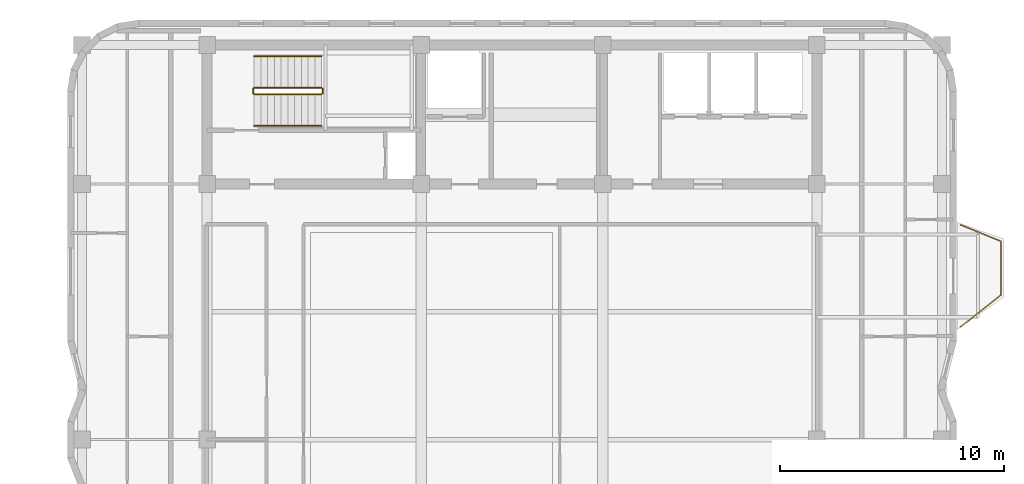
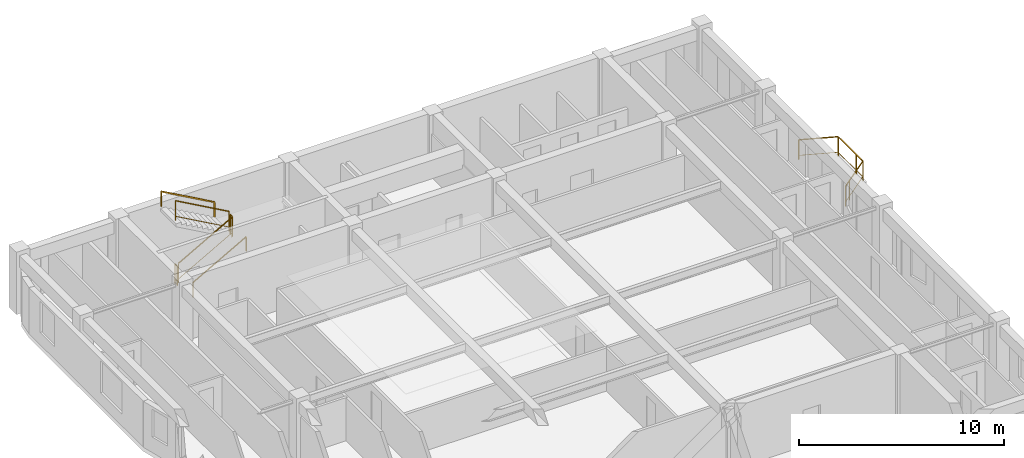
# One storey, part 8 of 8: 7 railings.
"""IFC4 building model written with IfcOpenShell, lengths in metres."""

import ifcopenshell
import ifcopenshell.guid

model = None  # the IFC model being written
_history = None  # IfcOwnerHistory: only IFC2X3 demands one
_inside = {}  # id of a spatial element -> (the spatial element, [elements in it])
_under = {}  # id of a project, library or spatial element -> (it, [spatial elements below it])
_declared = {}  # id of a project -> (the project, [libraries it declares])
_typed = {}  # id of a type object -> (the type object, [elements of that type])
_made_of = {}  # id of a material, layer set ... -> (it, [elements and type objects made of it])


def new_model(schema):
    """Start an empty IFC model of exactly this schema.

    Asked for "IFC4X3", IfcOpenShell would pick the latest addendum, in which some entities
    have other attributes; the version numbers below select the first issue.
    IFC2X3 requires an IfcOwnerHistory on every rooted entity: one is made here for all.
    """
    global model, _history
    if schema == "IFC4X3":
        model = ifcopenshell.file(schema_version=(4, 3, 0, 0))
    else:
        model = ifcopenshell.file(schema=schema)
    _inside.clear()
    _under.clear()
    _declared.clear()
    _typed.clear()
    _made_of.clear()
    _history = None
    if model.schema == "IFC2X3":
        org = make("IfcOrganization", Name="unknown")
        user = make(
            "IfcPersonAndOrganization",
            ThePerson=make("IfcPerson", FamilyName="unknown"),
            TheOrganization=org,
        )
        app = make(
            "IfcApplication",
            ApplicationDeveloper=org,
            Version="unknown",
            ApplicationFullName="unknown",
            ApplicationIdentifier="unknown",
        )
        _history = make(
            "IfcOwnerHistory",
            OwningUser=user,
            OwningApplication=app,
            ChangeAction="ADDED",
            CreationDate=0,
        )
    return model


def make(cls, **values):
    """One entity of the class cls with the attributes given. An attribute that is None is left unset."""
    return model.create_entity(
        cls, **{name: value for name, value in values.items() if value is not None}
    )


def rooted(cls, **values):
    """An entity with a GlobalId (a new one), such as an element, a storey or a relation."""
    return make(cls, GlobalId=ifcopenshell.guid.new(), OwnerHistory=_history, **values)


def si_unit(unit_type, name, prefix=None):
    """IfcSIUnit, for example si_unit("LENGTHUNIT", "METRE", prefix="MILLI")."""
    return make("IfcSIUnit", UnitType=unit_type, Prefix=prefix, Name=name)


def assignment(units):
    """IfcUnitAssignment: the units of a project."""
    return None if units is None else make("IfcUnitAssignment", Units=units)


def point(xyz):
    """IfcCartesianPoint."""
    return None if xyz is None else make("IfcCartesianPoint", Coordinates=xyz)


def direction(xyz):
    """IfcDirection."""
    return None if xyz is None else make("IfcDirection", DirectionRatios=xyz)


def frame(location, z_axis=None, x_axis=None):
    """IfcAxis2Placement3D, a coordinate frame: its origin and axes. An axis left out is left unset."""
    return make(
        "IfcAxis2Placement3D",
        Location=point(location),
        Axis=direction(z_axis),
        RefDirection=direction(x_axis),
    )


def frame_2d(location, x_axis=None):
    """IfcAxis2Placement2D, a coordinate frame in the plane: its origin and x axis."""
    return make(
        "IfcAxis2Placement2D", Location=point(location), RefDirection=direction(x_axis)
    )


def origin():
    """The frame at (0, 0, 0) with its axes left unset."""
    return frame((0.0, 0.0, 0.0))


def origin_2d():
    """The frame at (0, 0) in the plane with its x axis left unset."""
    return frame_2d((0.0, 0.0))


def place(relative_to, where):
    """IfcLocalPlacement: puts the frame where relative to a parent placement (None: the world)."""
    return make(
        "IfcLocalPlacement", PlacementRelTo=relative_to, RelativePlacement=where
    )


def context(
    kind, dimensions, precision=None, world=None, true_north=None, identifier=None
):
    """IfcGeometricRepresentationContext, for example the 3D "Model" context."""
    return make(
        "IfcGeometricRepresentationContext",
        ContextIdentifier=identifier,
        ContextType=kind,
        CoordinateSpaceDimension=dimensions,
        Precision=precision,
        WorldCoordinateSystem=world,
        TrueNorth=true_north,
    )


def subcontext(parent, identifier, kind, view, scale=None):
    """IfcGeometricRepresentationSubContext, for example "Body" below "Model"."""
    return make(
        "IfcGeometricRepresentationSubContext",
        ContextIdentifier=identifier,
        ContextType=kind,
        ParentContext=parent,
        TargetScale=scale,
        TargetView=view,
    )


def project(units=None, contexts=None):
    """IfcProject with its units and contexts."""
    return rooted(
        "IfcProject",
        Name="project",
        RepresentationContexts=contexts,
        UnitsInContext=assignment(units),
    )


def spatial(cls, under=None, at=None, **own):
    """A site, building, storey or space (cls), placed at a placement, below another one or the project."""
    s = rooted(cls, ObjectPlacement=at, **own)
    if under is not None:
        _under.setdefault(under.id(), (under, []))[1].append(s)
    return s


def profile(cls, at=None, kind="AREA", **sizes):
    """A parametric profile (cls). Its sizes go by their IFC names, for example OverallWidth=200.0."""
    return make(cls, ProfileType=kind, Position=at, **sizes)


def rectangle(**sizes):
    """IfcRectangleProfileDef."""
    return profile("IfcRectangleProfileDef", **sizes)


def extrude(swept, where, along, depth):
    """IfcExtrudedAreaSolid: the profile swept, set in the frame where, extruded along a direction by depth."""
    return make(
        "IfcExtrudedAreaSolid",
        SweptArea=swept,
        Position=where,
        ExtrudedDirection=direction(along),
        Depth=depth,
    )


def shape(context_of_items, identifier, shape_type, items):
    """IfcShapeRepresentation: the items that make up one representation, for example the "Body"."""
    return make(
        "IfcShapeRepresentation",
        ContextOfItems=context_of_items,
        RepresentationIdentifier=identifier,
        RepresentationType=shape_type,
        Items=items,
    )


def material(Name=None, Category=None):
    """IfcMaterial."""
    return make("IfcMaterial", Name=Name, Category=Category)


def made_of(thing, what):
    """Note that an element or type object is made of a material, layer set ...; save() writes the relation."""
    if what is not None:
        _made_of.setdefault(what.id(), (what, []))[1].append(thing)
    return thing


def type_object(cls, material=None, **own):
    """A type object (cls), such as IfcWallType, which elements share."""
    return made_of(rooted(cls, **own), material)


def element(
    cls,
    number,
    at=None,
    inside=None,
    cuts=None,
    type_object=None,
    material=None,
    context=None,
    identifier="Body",
    shape_type=None,
    held_by="IfcProductDefinitionShape",
    body=None,
    shapes=None,
    **own,
):
    """One element of the class cls, such as IfcWall. Its Tag is "e" and its number.

    at: its placement. inside: the storey or other place that contains it. cuts: it is an
    opening in that element (IfcRelVoidsElement). A single representation is given by context,
    identifier, shape_type and body (its items); several are given by shapes. held_by: the class
    of the entity that holds the representations. save() writes the other relations.
    """
    e = rooted(cls, Tag="e%d" % number, ObjectPlacement=at, **own)
    if body is not None:
        shapes = [shape(context, identifier, shape_type, body)]
    if shapes is not None:
        e.Representation = make(held_by, Representations=shapes)
    if inside is not None:
        _inside.setdefault(inside.id(), (inside, []))[1].append(e)
    if cuts is not None:
        rooted(
            "IfcRelVoidsElement", RelatingBuildingElement=cuts, RelatedOpeningElement=e
        )
    if type_object is not None:
        _typed.setdefault(type_object.id(), (type_object, []))[1].append(e)
    return made_of(e, material)


def aggregate(whole, parts):
    """IfcRelAggregates: a whole, such as a stair, and the parts it consists of."""
    return rooted("IfcRelAggregates", RelatingObject=whole, RelatedObjects=parts)


def save(model, path):
    """Write the relations noted so far, then the file.

    IfcRelAggregates (storeys below a building ...), IfcRelContainedInSpatialStructure (elements
    in a storey), IfcRelDefinesByType, IfcRelAssociatesMaterial and IfcRelDeclares: one each for
    every whole, place, type object, material and project.
    """
    for whole, parts in _under.values():
        aggregate(whole, parts)
    for where, things in _inside.values():
        rooted(
            "IfcRelContainedInSpatialStructure",
            RelatedElements=things,
            RelatingStructure=where,
        )
    for kind, things in _typed.values():
        rooted("IfcRelDefinesByType", RelatedObjects=things, RelatingType=kind)
    for what, things in _made_of.values():
        rooted("IfcRelAssociatesMaterial", RelatedObjects=things, RelatingMaterial=what)
    for by, libraries in _declared.values():
        rooted("IfcRelDeclares", RelatingContext=by, RelatedDefinitions=libraries)
    model.write(path)


model = new_model("IFC4")

# Units and contexts
model_context = context("Model", 3, precision=1e-05, world=origin(), true_north=direction((0.0, 1.0)))
body_context = subcontext(model_context, "Body", "Model", "MODEL_VIEW")
ifc_project = project(units=[si_unit("LENGTHUNIT", "METRE"), si_unit("AREAUNIT", "SQUARE_METRE"), si_unit("VOLUMEUNIT", "CUBIC_METRE"), si_unit("PLANEANGLEUNIT", "RADIAN"), si_unit("MASSUNIT", "GRAM", prefix="KILO")], contexts=[model_context])

# Site, building, storey
site_placement = place(None, origin())
site = spatial("IfcSite", under=ifc_project, at=site_placement, CompositionType="ELEMENT")
building_placement = place(site_placement, origin())
building = spatial("IfcBuilding", under=site, at=building_placement, Name="Svetorya Sky Lyceum", CompositionType="ELEMENT")
storey_placement = place(building_placement, frame((0.0, 0.0, 260.199951171875)))
storey = spatial("IfcBuildingStorey", under=building, at=storey_placement, Name="L65", CompositionType="ELEMENT", Elevation=260.199951171875)

# Railings
ifc_material_1 = material(Name="Laminated safety glass and stainless AISI 316", Category="glass")
railing_type_1 = type_object("IfcRailingType", Name="RL-BAL-1200", PredefinedType="BALUSTRADE", material=ifc_material_1)
railing_1_placement = place(storey_placement, frame((59.2099609375, 37.780029296875, 0.0)))
element("IfcRailing", 1, at=railing_1_placement, inside=storey, type_object=railing_type_1, Name="L65 Balcony Balustrade BAL-E1", PredefinedType="BALUSTRADE", context=body_context, shape_type="SweptSolid", body=[
    extrude(rectangle(XDim=0.048095703125, YDim=0.048095703125, at=origin_2d()), frame((0.0, 0.0, 1.17578125), z_axis=(0.926697865975, -0.375807218129, 0.0), x_axis=(0.375807218129, 0.926697865975, 0.0)), (0.0, 0.0, 1.0), 1.9423828125),
    extrude(rectangle(XDim=0.02392578125, YDim=0.02392578125, at=origin_2d()), frame((0.0, 0.0, 0.25), z_axis=(0.926697865975, -0.375807218129, 0.0), x_axis=(0.375807218129, 0.926697865975, 0.0)), (0.0, 0.0, 1.0), 1.9423828125),
    extrude(rectangle(XDim=0.048095703125, YDim=0.048095703125, at=origin_2d()), frame((1.800048828125, -0.72998046875, 1.17578125), z_axis=(0.0, -1.0, 0.0), x_axis=(1.0, 0.0, 0.0)), (0.0, 0.0, 1.0), 2.400146484375),
    extrude(rectangle(XDim=0.02392578125, YDim=0.02392578125, at=origin_2d()), frame((1.800048828125, -0.72998046875, 0.25), z_axis=(0.0, -1.0, 0.0), x_axis=(1.0, 0.0, 0.0)), (0.0, 0.0, 1.0), 2.400146484375),
    extrude(rectangle(XDim=0.048095703125, YDim=0.048095703125, at=origin_2d()), frame((1.800048828125, -3.130126953125, 1.17578125), z_axis=(-0.783008919264, -0.622010476079, 0.0), x_axis=(0.622010476079, -0.783008919264, 0.0)), (0.0, 0.0, 1.0), 2.298828125),
    extrude(rectangle(XDim=0.02392578125, YDim=0.02392578125, at=origin_2d()), frame((1.800048828125, -3.130126953125, 0.25), z_axis=(-0.783008919264, -0.622010476079, 0.0), x_axis=(0.622010476079, -0.783008919264, 0.0)), (0.0, 0.0, 1.0), 2.298828125),
    extrude(rectangle(XDim=0.0419921875, YDim=0.0419921875, at=origin_2d()), origin(), (0.0, 0.0, 1.0), 1.15185546875),
    extrude(rectangle(XDim=0.0419921875, YDim=0.0419921875, at=origin_2d()), frame((1.800048828125, -0.72998046875, 0.0)), (0.0, 0.0, 1.0), 1.15185546875),
    extrude(rectangle(XDim=0.0419921875, YDim=0.0419921875, at=origin_2d()), frame((1.800048828125, -2.47998046875, 0.0)), (0.0, 0.0, 1.0), 1.15185546875),
    extrude(rectangle(XDim=0.0419921875, YDim=0.0419921875, at=origin_2d()), frame((1.800048828125, -3.130126953125, 0.0)), (0.0, 0.0, 1.0), 1.15185546875),
    extrude(rectangle(XDim=0.0419921875, YDim=0.0419921875, at=origin_2d()), frame((0.4296875, -4.21875, 0.0)), (0.0, 0.0, 1.0), 1.15185546875),
    extrude(rectangle(XDim=0.0419921875, YDim=0.0419921875, at=origin_2d()), frame((0.0, -4.56005859375, 0.0)), (0.0, 0.0, 1.0), 1.15185546875),
])
ifc_material_2 = material(Name="Painted galvanized stair well guard")
railing_type_2 = type_object("IfcRailingType", Name="RL-STR-GUARD-1200", PredefinedType="GUARDRAIL", material=ifc_material_2)
railing_2_placement = place(storey_placement, frame((27.699951171875, 43.60009765625, 0.168212890625)))
element("IfcRailing", 2, at=railing_2_placement, inside=storey, type_object=railing_type_2, Name="L65 ST-N stair guard 1", PredefinedType="GUARDRAIL", context=body_context, shape_type="SweptSolid", body=[
    extrude(rectangle(XDim=0.048095703125, YDim=0.048095703125, at=origin_2d()), frame((0.0, 0.0, 1.17578125), z_axis=(0.872272294576, 0.0, 0.489020494575), x_axis=(0.0, 1.0, 0.0)), (0.0, 0.0, 1.0), 3.439208984375),
    extrude(rectangle(XDim=0.02392578125, YDim=0.02392578125, at=origin_2d()), frame((0.0, 0.0, 0.25), z_axis=(0.872272294576, 0.0, 0.489020494575), x_axis=(0.0, 1.0, 0.0)), (0.0, 0.0, 1.0), 3.439208984375),
    extrude(rectangle(XDim=0.0419921875, YDim=0.0419921875, at=origin_2d()), origin(), (0.0, 0.0, 1.0), 1.15185546875),
    extrude(rectangle(XDim=0.0419921875, YDim=0.0419921875, at=origin_2d()), frame((3.0, 0.0, 1.681884765625)), (0.0, 0.0, 1.0), 1.15185546875),
])
railing_3_placement = place(storey_placement, frame((30.75, 43.64990234375, 1.85009765625)))
element("IfcRailing", 3, at=railing_3_placement, inside=storey, type_object=railing_type_2, Name="L65 ST-N stair guard 2", PredefinedType="GUARDRAIL", context=body_context, shape_type="SweptSolid", body=[
    extrude(rectangle(XDim=0.048095703125, YDim=0.048095703125, at=origin_2d()), frame((0.0, 0.0, 1.17578125), z_axis=(0.0, 1.0, 0.0), x_axis=(-1.0, 0.0, 0.0)), (0.0, 0.0, 1.0), 0.2001953125),
    extrude(rectangle(XDim=0.02392578125, YDim=0.02392578125, at=origin_2d()), frame((0.0, 0.0, 0.25), z_axis=(0.0, 1.0, 0.0), x_axis=(-1.0, 0.0, 0.0)), (0.0, 0.0, 1.0), 0.2001953125),
    extrude(rectangle(XDim=0.0419921875, YDim=0.0419921875, at=origin_2d()), origin(), (0.0, 0.0, 1.0), 1.15185546875),
    extrude(rectangle(XDim=0.0419921875, YDim=0.0419921875, at=origin_2d()), frame((0.0, 0.2001953125, 0.0)), (0.0, 0.0, 1.0), 1.15185546875),
])
railing_4_placement = place(storey_placement, frame((30.699951171875, 43.89990234375, 2.018310546875)))
element("IfcRailing", 4, at=railing_4_placement, inside=storey, type_object=railing_type_2, Name="L65 ST-N stair guard 3", PredefinedType="GUARDRAIL", context=body_context, shape_type="SweptSolid", body=[
    extrude(rectangle(XDim=0.048095703125, YDim=0.048095703125, at=origin_2d()), frame((0.0, 0.0, 1.17578125), z_axis=(-0.872302573547, 0.0, 0.488966481656), x_axis=(0.0, -1.0, 0.0)), (0.0, 0.0, 1.0), 3.439208984375),
    extrude(rectangle(XDim=0.02392578125, YDim=0.02392578125, at=origin_2d()), frame((0.0, 0.0, 0.25), z_axis=(-0.872302573547, 0.0, 0.488966481656), x_axis=(0.0, -1.0, 0.0)), (0.0, 0.0, 1.0), 3.439208984375),
    extrude(rectangle(XDim=0.0419921875, YDim=0.0419921875, at=origin_2d()), origin(), (0.0, 0.0, 1.0), 1.15185546875),
    extrude(rectangle(XDim=0.0419921875, YDim=0.0419921875, at=origin_2d()), frame((-3.0, 0.0, 1.681640625)), (0.0, 0.0, 1.0), 1.15185546875),
])
railing_5_placement = place(storey_placement, frame((27.64990234375, 43.64990234375, 0.0)))
element("IfcRailing", 5, at=railing_5_placement, inside=storey, type_object=railing_type_2, Name="L65 ST-N stair guard 4", PredefinedType="GUARDRAIL", context=body_context, shape_type="SweptSolid", body=[
    extrude(rectangle(XDim=0.048095703125, YDim=0.048095703125, at=origin_2d()), frame((0.0, 0.0, 1.17578125), z_axis=(0.0, 1.0, 0.0), x_axis=(-1.0, 0.0, 0.0)), (0.0, 0.0, 1.0), 0.2001953125),
    extrude(rectangle(XDim=0.02392578125, YDim=0.02392578125, at=origin_2d()), frame((0.0, 0.0, 0.25), z_axis=(0.0, 1.0, 0.0), x_axis=(-1.0, 0.0, 0.0)), (0.0, 0.0, 1.0), 0.2001953125),
    extrude(rectangle(XDim=0.0419921875, YDim=0.0419921875, at=origin_2d()), origin(), (0.0, 0.0, 1.0), 1.15185546875),
    extrude(rectangle(XDim=0.0419921875, YDim=0.0419921875, at=origin_2d()), frame((0.0, 0.2001953125, 0.0)), (0.0, 0.0, 1.0), 1.15185546875),
])
ifc_material_3 = material(Name="Brushed stainless AISI 304 stair handrail")
railing_type_3 = type_object("IfcRailingType", Name="RL-STR-HAND-920", PredefinedType="HANDRAIL", material=ifc_material_3)
railing_6_placement = place(storey_placement, frame((27.699951171875, 42.199951171875, 0.168212890625)))
element("IfcRailing", 6, at=railing_6_placement, inside=storey, type_object=railing_type_3, Name="L65 ST-N stair handrail 1", PredefinedType="HANDRAIL", context=body_context, shape_type="SweptSolid", body=[
    extrude(rectangle(XDim=0.048095703125, YDim=0.048095703125, at=origin_2d()), frame((0.0, 0.0, 0.8759765625), z_axis=(0.872272294576, 0.0, 0.489020494575), x_axis=(0.0, 1.0, 0.0)), (0.0, 0.0, 1.0), 3.439208984375),
    extrude(rectangle(XDim=0.0419921875, YDim=0.0419921875, at=origin_2d()), origin(), (0.0, 0.0, 1.0), 0.851806640625),
    extrude(rectangle(XDim=0.0419921875, YDim=0.0419921875, at=origin_2d()), frame((3.0, 0.0, 1.681884765625)), (0.0, 0.0, 1.0), 0.851806640625),
])
railing_7_placement = place(storey_placement, frame((30.699951171875, 45.300048828125, 2.018310546875)))
element("IfcRailing", 7, at=railing_7_placement, inside=storey, type_object=railing_type_3, Name="L65 ST-N stair handrail 2", PredefinedType="HANDRAIL", context=body_context, shape_type="SweptSolid", body=[
    extrude(rectangle(XDim=0.048095703125, YDim=0.048095703125, at=origin_2d()), frame((0.0, 0.0, 0.8759765625), z_axis=(-0.872302573547, 0.0, 0.488966481656), x_axis=(0.0, -1.0, 0.0)), (0.0, 0.0, 1.0), 3.439208984375),
    extrude(rectangle(XDim=0.0419921875, YDim=0.0419921875, at=origin_2d()), origin(), (0.0, 0.0, 1.0), 0.851806640625),
    extrude(rectangle(XDim=0.0419921875, YDim=0.0419921875, at=origin_2d()), frame((-3.0, 0.0, 1.681640625)), (0.0, 0.0, 1.0), 0.851806640625),
])

save(model, "model.ifc")
